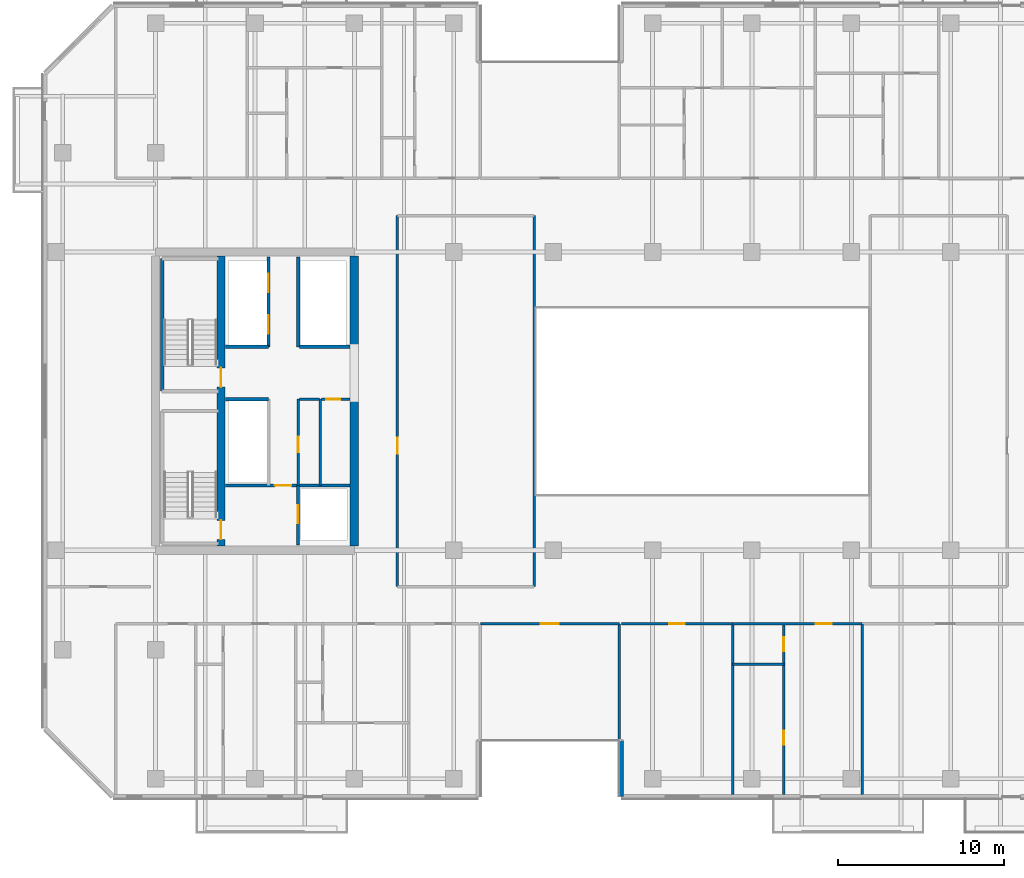
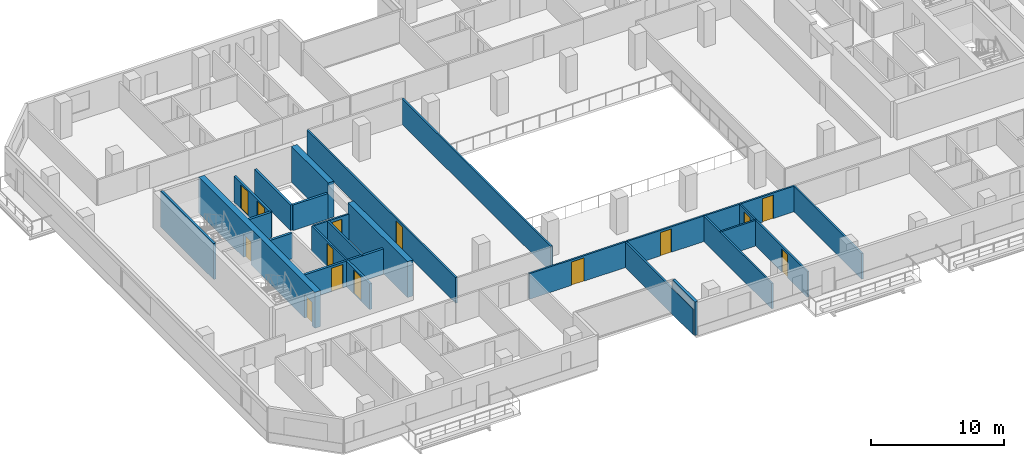
# One storey, part 11 of 23: 26 walls, 14 doors, 14 openings.
"""IFC4 building model written with IfcOpenShell, lengths in metres."""

import ifcopenshell
import ifcopenshell.guid

model = None  # the IFC model being written
_history = None  # IfcOwnerHistory: only IFC2X3 demands one
_inside = {}  # id of a spatial element -> (the spatial element, [elements in it])
_under = {}  # id of a project, library or spatial element -> (it, [spatial elements below it])
_declared = {}  # id of a project -> (the project, [libraries it declares])
_typed = {}  # id of a type object -> (the type object, [elements of that type])
_made_of = {}  # id of a material, layer set ... -> (it, [elements and type objects made of it])


def new_model(schema):
    """Start an empty IFC model of exactly this schema.

    Asked for "IFC4X3", IfcOpenShell would pick the latest addendum, in which some entities
    have other attributes; the version numbers below select the first issue.
    IFC2X3 requires an IfcOwnerHistory on every rooted entity: one is made here for all.
    """
    global model, _history
    if schema == "IFC4X3":
        model = ifcopenshell.file(schema_version=(4, 3, 0, 0))
    else:
        model = ifcopenshell.file(schema=schema)
    _inside.clear()
    _under.clear()
    _declared.clear()
    _typed.clear()
    _made_of.clear()
    _history = None
    if model.schema == "IFC2X3":
        org = make("IfcOrganization", Name="unknown")
        user = make(
            "IfcPersonAndOrganization",
            ThePerson=make("IfcPerson", FamilyName="unknown"),
            TheOrganization=org,
        )
        app = make(
            "IfcApplication",
            ApplicationDeveloper=org,
            Version="unknown",
            ApplicationFullName="unknown",
            ApplicationIdentifier="unknown",
        )
        _history = make(
            "IfcOwnerHistory",
            OwningUser=user,
            OwningApplication=app,
            ChangeAction="ADDED",
            CreationDate=0,
        )
    return model


def make(cls, **values):
    """One entity of the class cls with the attributes given. An attribute that is None is left unset."""
    return model.create_entity(
        cls, **{name: value for name, value in values.items() if value is not None}
    )


def rooted(cls, **values):
    """An entity with a GlobalId (a new one), such as an element, a storey or a relation."""
    return make(cls, GlobalId=ifcopenshell.guid.new(), OwnerHistory=_history, **values)


def si_unit(unit_type, name, prefix=None):
    """IfcSIUnit, for example si_unit("LENGTHUNIT", "METRE", prefix="MILLI")."""
    return make("IfcSIUnit", UnitType=unit_type, Prefix=prefix, Name=name)


def assignment(units):
    """IfcUnitAssignment: the units of a project."""
    return None if units is None else make("IfcUnitAssignment", Units=units)


def point(xyz):
    """IfcCartesianPoint."""
    return None if xyz is None else make("IfcCartesianPoint", Coordinates=xyz)


def direction(xyz):
    """IfcDirection."""
    return None if xyz is None else make("IfcDirection", DirectionRatios=xyz)


def frame(location, z_axis=None, x_axis=None):
    """IfcAxis2Placement3D, a coordinate frame: its origin and axes. An axis left out is left unset."""
    return make(
        "IfcAxis2Placement3D",
        Location=point(location),
        Axis=direction(z_axis),
        RefDirection=direction(x_axis),
    )


def frame_2d(location, x_axis=None):
    """IfcAxis2Placement2D, a coordinate frame in the plane: its origin and x axis."""
    return make(
        "IfcAxis2Placement2D", Location=point(location), RefDirection=direction(x_axis)
    )


def origin():
    """The frame at (0, 0, 0) with its axes left unset."""
    return frame((0.0, 0.0, 0.0))


def place(relative_to, where):
    """IfcLocalPlacement: puts the frame where relative to a parent placement (None: the world)."""
    return make(
        "IfcLocalPlacement", PlacementRelTo=relative_to, RelativePlacement=where
    )


def context(
    kind, dimensions, precision=None, world=None, true_north=None, identifier=None
):
    """IfcGeometricRepresentationContext, for example the 3D "Model" context."""
    return make(
        "IfcGeometricRepresentationContext",
        ContextIdentifier=identifier,
        ContextType=kind,
        CoordinateSpaceDimension=dimensions,
        Precision=precision,
        WorldCoordinateSystem=world,
        TrueNorth=true_north,
    )


def subcontext(parent, identifier, kind, view, scale=None):
    """IfcGeometricRepresentationSubContext, for example "Body" below "Model"."""
    return make(
        "IfcGeometricRepresentationSubContext",
        ContextIdentifier=identifier,
        ContextType=kind,
        ParentContext=parent,
        TargetScale=scale,
        TargetView=view,
    )


def project(units=None, contexts=None):
    """IfcProject with its units and contexts."""
    return rooted(
        "IfcProject",
        Name="project",
        RepresentationContexts=contexts,
        UnitsInContext=assignment(units),
    )


def spatial(cls, under=None, at=None, **own):
    """A site, building, storey or space (cls), placed at a placement, below another one or the project."""
    s = rooted(cls, ObjectPlacement=at, **own)
    if under is not None:
        _under.setdefault(under.id(), (under, []))[1].append(s)
    return s


def profile(cls, at=None, kind="AREA", **sizes):
    """A parametric profile (cls). Its sizes go by their IFC names, for example OverallWidth=200.0."""
    return make(cls, ProfileType=kind, Position=at, **sizes)


def rectangle(**sizes):
    """IfcRectangleProfileDef."""
    return profile("IfcRectangleProfileDef", **sizes)


def extrude(swept, where, along, depth):
    """IfcExtrudedAreaSolid: the profile swept, set in the frame where, extruded along a direction by depth."""
    return make(
        "IfcExtrudedAreaSolid",
        SweptArea=swept,
        Position=where,
        ExtrudedDirection=direction(along),
        Depth=depth,
    )


def shape(context_of_items, identifier, shape_type, items):
    """IfcShapeRepresentation: the items that make up one representation, for example the "Body"."""
    return make(
        "IfcShapeRepresentation",
        ContextOfItems=context_of_items,
        RepresentationIdentifier=identifier,
        RepresentationType=shape_type,
        Items=items,
    )


def material(Name=None, Category=None):
    """IfcMaterial."""
    return make("IfcMaterial", Name=Name, Category=Category)


def layer(
    of_material, thickness, ventilated=None, Name=None, Category=None, Priority=None
):
    """IfcMaterialLayer: one layer of a wall or slab, of a material (None: an air gap)."""
    return make(
        "IfcMaterialLayer",
        Material=of_material,
        LayerThickness=thickness,
        IsVentilated=ventilated,
        Name=Name,
        Category=Category,
        Priority=Priority,
    )


def layer_set(layers, Name=None):
    """IfcMaterialLayerSet."""
    return make("IfcMaterialLayerSet", MaterialLayers=layers, LayerSetName=Name)


def made_of(thing, what):
    """Note that an element or type object is made of a material, layer set ...; save() writes the relation."""
    if what is not None:
        _made_of.setdefault(what.id(), (what, []))[1].append(thing)
    return thing


def type_object(cls, material=None, **own):
    """A type object (cls), such as IfcWallType, which elements share."""
    return made_of(rooted(cls, **own), material)


def element(
    cls,
    number,
    at=None,
    inside=None,
    cuts=None,
    type_object=None,
    material=None,
    context=None,
    identifier="Body",
    shape_type=None,
    held_by="IfcProductDefinitionShape",
    body=None,
    shapes=None,
    **own,
):
    """One element of the class cls, such as IfcWall. Its Tag is "e" and its number.

    at: its placement. inside: the storey or other place that contains it. cuts: it is an
    opening in that element (IfcRelVoidsElement). A single representation is given by context,
    identifier, shape_type and body (its items); several are given by shapes. held_by: the class
    of the entity that holds the representations. save() writes the other relations.
    """
    e = rooted(cls, Tag="e%d" % number, ObjectPlacement=at, **own)
    if body is not None:
        shapes = [shape(context, identifier, shape_type, body)]
    if shapes is not None:
        e.Representation = make(held_by, Representations=shapes)
    if inside is not None:
        _inside.setdefault(inside.id(), (inside, []))[1].append(e)
    if cuts is not None:
        rooted(
            "IfcRelVoidsElement", RelatingBuildingElement=cuts, RelatedOpeningElement=e
        )
    if type_object is not None:
        _typed.setdefault(type_object.id(), (type_object, []))[1].append(e)
    return made_of(e, material)


def fill(opening, filler):
    """IfcRelFillsElement: the door or window that sits in an opening."""
    return rooted(
        "IfcRelFillsElement",
        RelatingOpeningElement=opening,
        RelatedBuildingElement=filler,
    )


def aggregate(whole, parts):
    """IfcRelAggregates: a whole, such as a stair, and the parts it consists of."""
    return rooted("IfcRelAggregates", RelatingObject=whole, RelatedObjects=parts)


def save(model, path):
    """Write the relations noted so far, then the file.

    IfcRelAggregates (storeys below a building ...), IfcRelContainedInSpatialStructure (elements
    in a storey), IfcRelDefinesByType, IfcRelAssociatesMaterial and IfcRelDeclares: one each for
    every whole, place, type object, material and project.
    """
    for whole, parts in _under.values():
        aggregate(whole, parts)
    for where, things in _inside.values():
        rooted(
            "IfcRelContainedInSpatialStructure",
            RelatedElements=things,
            RelatingStructure=where,
        )
    for kind, things in _typed.values():
        rooted("IfcRelDefinesByType", RelatedObjects=things, RelatingType=kind)
    for what, things in _made_of.values():
        rooted("IfcRelAssociatesMaterial", RelatedObjects=things, RelatingMaterial=what)
    for by, libraries in _declared.values():
        rooted("IfcRelDeclares", RelatingContext=by, RelatedDefinitions=libraries)
    model.write(path)


model = new_model("IFC4")

# Units and contexts
model_context = context("Model", 3, precision=1e-05, world=origin(), true_north=direction((0.0, 1.0)))
body_context = subcontext(model_context, "Body", "Model", "MODEL_VIEW")
ifc_project = project(units=[si_unit("LENGTHUNIT", "METRE"), si_unit("AREAUNIT", "SQUARE_METRE"), si_unit("VOLUMEUNIT", "CUBIC_METRE"), si_unit("PLANEANGLEUNIT", "RADIAN"), si_unit("MASSUNIT", "GRAM", prefix="KILO")], contexts=[model_context])

# Site, building, storey
site_placement = place(None, origin())
site = spatial("IfcSite", under=ifc_project, at=site_placement, CompositionType="ELEMENT")
building_placement = place(site_placement, origin())
building = spatial("IfcBuilding", under=site, at=building_placement, Name="Tanjung Sevakor Pilgrim Tower", CompositionType="ELEMENT")
storey_placement = place(building_placement, frame((0.0, 0.0, 82.169921875)))
storey = spatial("IfcBuildingStorey", under=building, at=storey_placement, Name="L22", CompositionType="ELEMENT", Elevation=82.169921875)

# Walls
ifc_material_1 = material(Name="Concrete C60/75", Category="concrete")
ifc_layer_1 = layer(ifc_material_1, 0.5)
ifc_layer_set_1 = layer_set([ifc_layer_1], Name="WALL-CW-500")
wall_type_1 = type_object("IfcWallType", Name="WALL-CW-500", PredefinedType="SHEAR", material=ifc_layer_set_1)
wall_1_placement = place(storey_placement, frame((36.0, 24.85009765625, 0.0), z_axis=(0.0, 0.0, 1.0), x_axis=(0.0, 1.0, 0.0)))
element("IfcWall", 1, at=wall_1_placement, inside=storey, type_object=wall_type_1, Name="L22 W Core Inner Shear Wall South", PredefinedType="SHEAR", context=body_context, shape_type="SweptSolid", body=[
    extrude(rectangle(XDim=8.949951171875, YDim=0.5, at=frame_2d((4.47509765625, 0.0))), origin(), (0.0, 0.0, 1.0), 3.300048828125),
])
wall_2_placement = place(storey_placement, frame((36.0, 36.800048828125, 0.0), z_axis=(0.0, 0.0, 1.0), x_axis=(0.0, 1.0, 0.0)))
element("IfcWall", 2, at=wall_2_placement, inside=storey, type_object=wall_type_1, Name="L22 W Core Inner Shear Wall North", PredefinedType="SHEAR", context=body_context, shape_type="SweptSolid", body=[
    extrude(rectangle(XDim=5.550048828125, YDim=0.5, at=frame_2d((2.77490234375, 0.0))), origin(), (0.0, 0.0, 1.0), 3.300048828125),
])

# Wall, openings, doors
wall_3_placement = place(storey_placement, frame((27.949951171875, 24.85009765625, 0.0), z_axis=(0.0, 0.0, 1.0), x_axis=(0.0, 1.0, 0.0)))
wall_3 = element("IfcWall", 3, at=wall_3_placement, inside=storey, type_object=wall_type_1, Name="L22 W Core Stair Spine Wall", PredefinedType="SHEAR", context=body_context, shape_type="SweptSolid", body=[
    extrude(rectangle(XDim=17.5, YDim=0.5, at=frame_2d((8.75, 0.0))), origin(), (0.0, 0.0, 1.0), 3.300048828125),
])
opening_1_placement = place(wall_3_placement, frame((0.39990234375, 0.0, 0.0)))
opening_1 = element("IfcOpeningElement", 4, at=opening_1_placement, cuts=wall_3, Name="Opening ID-ST1", PredefinedType="OPENING", context=body_context, shape_type="SweptSolid", body=[
    extrude(rectangle(XDim=1.14990234375, YDim=2.14990234375, at=frame_2d((0.574951171875, 1.074951171875))), frame((0.0, 0.260009765625, 0.0), z_axis=(0.0, -1.0, 0.0), x_axis=(1.0, 0.0, 0.0)), (0.0, 0.0, 1.0), 0.52001953125),
])
opening_2_placement = place(wall_3_placement, frame((9.60009765625, 0.0, 0.0)))
opening_2 = element("IfcOpeningElement", 5, at=opening_2_placement, cuts=wall_3, Name="Opening ID-ST1", PredefinedType="OPENING", context=body_context, shape_type="SweptSolid", body=[
    extrude(rectangle(XDim=1.14990234375, YDim=2.14990234375, at=frame_2d((0.574951171875, 1.074951171875))), frame((0.0, 0.260009765625, 0.0), z_axis=(0.0, -1.0, 0.0), x_axis=(1.0, 0.0, 0.0)), (0.0, 0.0, 1.0), 0.52001953125),
])
ifc_material_2 = material(Name="Fire-Rated Steel S355J2", Category="steel")
door_type_1 = type_object("IfcDoorType", Name="DT-FIRE-1150", OperationType="NOTDEFINED", PredefinedType="DOOR", material=ifc_material_2)
door_1_placement = place(opening_1_placement, origin())
door_1 = element("IfcDoor", 6, at=door_1_placement, inside=storey, type_object=door_type_1, Name="L22 TS-W1 Stair Fire Door", OperationType="SINGLE_SWING_LEFT", OverallHeight=2.14990234375, OverallWidth=1.14990234375, PredefinedType="DOOR", context=body_context, shape_type="SweptSolid", body=[
    extrude(rectangle(XDim=1.14990234375, YDim=2.14990234375, at=frame_2d((0.574951171875, 1.074951171875))), frame((0.0, 0.02490234375, 0.0), z_axis=(0.0, -1.0, 0.0), x_axis=(1.0, 0.0, 0.0)), (0.0, 0.0, 1.0), 0.050048828125),
])
fill(opening_1, door_1)
door_2_placement = place(opening_2_placement, origin())
door_2 = element("IfcDoor", 7, at=door_2_placement, inside=storey, type_object=door_type_1, Name="L22 TS-W2 Stair Fire Door", OperationType="SINGLE_SWING_RIGHT", OverallHeight=2.14990234375, OverallWidth=1.14990234375, PredefinedType="DOOR", context=body_context, shape_type="SweptSolid", body=[
    extrude(rectangle(XDim=1.14990234375, YDim=2.14990234375, at=frame_2d((0.574951171875, 1.074951171875))), frame((0.0, 0.02490234375, 0.0), z_axis=(0.0, -1.0, 0.0), x_axis=(1.0, 0.0, 0.0)), (0.0, 0.0, 1.0), 0.050048828125),
])
fill(opening_2, door_2)

# Walls
ifc_material_3 = material(Name="Concrete C40/50", Category="concrete")
ifc_layer_2 = layer(ifc_material_3, 0.14990234375)
ifc_layer_set_2 = layer_set([ifc_layer_2], Name="WT-COMP-150")
wall_type_2 = type_object("IfcWallType", Name="WT-COMP-150", PredefinedType="SOLIDWALL", material=ifc_layer_set_2)
wall_4_placement = place(storey_placement, frame((33.949951171875, 28.5, 0.0), z_axis=(0.0, 0.0, 1.0), x_axis=(0.0, 1.0, 0.0)))
element("IfcWall", 8, at=wall_4_placement, inside=storey, type_object=wall_type_2, Name="L22 Partition IW-L22-005", PredefinedType="SOLIDWALL", context=body_context, shape_type="SweptSolid", body=[
    extrude(rectangle(XDim=5.219970703125, YDim=0.14990234375, at=frame_2d((2.60986328125, 0.0))), origin(), (0.0, 0.0, 1.0), 2.35009765625),
])
wall_5_placement = place(storey_placement, frame((32.679931640625, 33.719970703125, 0.0), z_axis=(0.0, 0.0, 1.0), x_axis=(1.0, 0.0, 0.0)))
element("IfcWall", 9, at=wall_5_placement, inside=storey, type_object=wall_type_2, Name="L22 Partition IW-L22-006", PredefinedType="SOLIDWALL", context=body_context, shape_type="SweptSolid", body=[
    extrude(rectangle(XDim=1.2099609375, YDim=0.14990234375, at=frame_2d((0.60498046875, 0.0))), origin(), (0.0, 0.0, 1.0), 2.35009765625),
])

# Wall, opening, door
wall_6_placement = place(storey_placement, frame((34.010009765625, 33.719970703125, 0.0), z_axis=(0.0, 0.0, 1.0), x_axis=(1.0, 0.0, 0.0)))
wall_6 = element("IfcWall", 10, at=wall_6_placement, inside=storey, type_object=wall_type_2, Name="L22 Partition IW-L22-007", PredefinedType="SOLIDWALL", context=body_context, shape_type="SweptSolid", body=[
    extrude(rectangle(XDim=1.719970703125, YDim=0.14990234375, at=frame_2d((0.85986328125, 0.0))), origin(), (0.0, 0.0, 1.0), 2.35009765625),
])
opening_3_placement = place(wall_6_placement, frame((0.280029296875, 0.0, 0.0)))
opening_3 = element("IfcOpeningElement", 11, at=opening_3_placement, cuts=wall_6, Name="Opening ID-FD3", PredefinedType="OPENING", context=body_context, shape_type="SweptSolid", body=[
    extrude(rectangle(XDim=0.85009765625, YDim=2.10009765625, at=frame_2d((0.425048828125, 1.050048828125))), frame((0.0, 0.0849609375, 0.0), z_axis=(0.0, -1.0, 0.0), x_axis=(1.0, 0.0, 0.0)), (0.0, 0.0, 1.0), 0.169921875),
])
ifc_material_4 = material(Name="Fire-Rated Timber", Category="wood")
door_type_2 = type_object("IfcDoorType", Name="DT-FIRE-850", OperationType="NOTDEFINED", PredefinedType="DOOR", material=ifc_material_4)
door_3_placement = place(opening_3_placement, origin())
door_3 = element("IfcDoor", 12, at=door_3_placement, inside=storey, type_object=door_type_2, Name="L22 Service Store Door", OperationType="SINGLE_SWING_LEFT", OverallHeight=2.10009765625, OverallWidth=0.85009765625, PredefinedType="DOOR", context=body_context, shape_type="SweptSolid", body=[
    extrude(rectangle(XDim=0.85009765625, YDim=2.10009765625, at=frame_2d((0.425048828125, 1.050048828125))), frame((0.0, 0.02490234375, 0.0), z_axis=(0.0, -1.0, 0.0), x_axis=(1.0, 0.0, 0.0)), (0.0, 0.0, 1.0), 0.050048828125),
])
fill(opening_3, door_3)

wall_7_placement = place(storey_placement, frame((32.6201171875, 28.5, 0.0), z_axis=(0.0, 0.0, 1.0), x_axis=(0.0, 1.0, 0.0)))
wall_7 = element("IfcWall", 13, at=wall_7_placement, inside=storey, type_object=wall_type_2, Name="L22 Partition IW-L22-008", PredefinedType="SOLIDWALL", context=body_context, shape_type="SweptSolid", body=[
    extrude(rectangle(XDim=5.219970703125, YDim=0.14990234375, at=frame_2d((2.60986328125, 0.0))), origin(), (0.0, 0.0, 1.0), 2.35009765625),
])
opening_4_placement = place(wall_7_placement, frame((2.0, 0.0, 0.0)))
opening_4 = element("IfcOpeningElement", 14, at=opening_4_placement, cuts=wall_7, Name="Opening ID-FD2", PredefinedType="OPENING", context=body_context, shape_type="SweptSolid", body=[
    extrude(rectangle(XDim=0.949951171875, YDim=2.14990234375, at=frame_2d((0.47509765625, 1.074951171875))), frame((0.0, 0.0849609375, 0.0), z_axis=(0.0, -1.0, 0.0), x_axis=(1.0, 0.0, 0.0)), (0.0, 0.0, 1.0), 0.169921875),
])
ifc_material_5 = material(Name="Fire-Rated Timber", Category="wood")
door_type_3 = type_object("IfcDoorType", Name="DT-FIRE-950", OperationType="NOTDEFINED", PredefinedType="DOOR", material=ifc_material_5)
door_4_placement = place(opening_4_placement, origin())
door_4 = element("IfcDoor", 15, at=door_4_placement, inside=storey, type_object=door_type_3, Name="L22 Accessible WC Door", OperationType="SINGLE_SWING_RIGHT", OverallHeight=2.14990234375, OverallWidth=0.949951171875, PredefinedType="DOOR", context=body_context, shape_type="SweptSolid", body=[
    extrude(rectangle(XDim=0.949951171875, YDim=2.14990234375, at=frame_2d((0.47509765625, 1.074951171875))), frame((0.0, 0.02490234375, 0.0), z_axis=(0.0, -1.0, 0.0), x_axis=(1.0, 0.0, 0.0)), (0.0, 0.0, 1.0), 0.050048828125),
])
fill(opening_4, door_4)

wall_8_placement = place(storey_placement, frame((38.60009765625, 22.39990234375, 0.0), z_axis=(0.0, 0.0, 1.0), x_axis=(0.0, 1.0, 0.0)))
wall_8 = element("IfcWall", 16, at=wall_8_placement, inside=storey, type_object=wall_type_2, Name="L22 Partition IW-L22-027", PredefinedType="SOLIDWALL", context=body_context, shape_type="SweptSolid", body=[
    extrude(rectangle(XDim=22.400146484375, YDim=0.14990234375, at=frame_2d((11.2001953125, 0.0))), origin(), (0.0, 0.0, 1.0), 2.35009765625),
])
opening_5_placement = place(wall_8_placement, frame((8.02490234375, 0.0, 0.0)))
opening_5 = element("IfcOpeningElement", 17, at=opening_5_placement, cuts=wall_8, Name="Opening ID-RM1", PredefinedType="OPENING", context=body_context, shape_type="SweptSolid", body=[
    extrude(rectangle(XDim=0.949951171875, YDim=2.14990234375, at=frame_2d((0.47509765625, 1.074951171875))), frame((0.0, 0.0849609375, 0.0), z_axis=(0.0, -1.0, 0.0), x_axis=(1.0, 0.0, 0.0)), (0.0, 0.0, 1.0), 0.169921875),
])
ifc_material_6 = material(Name="Hardwood Timber", Category="wood")
door_type_4 = type_object("IfcDoorType", Name="DT-INT-950", OperationType="NOTDEFINED", PredefinedType="DOOR", material=ifc_material_6)
door_5_placement = place(opening_5_placement, origin())
door_5 = element("IfcDoor", 18, at=door_5_placement, inside=storey, type_object=door_type_4, Name="L22 Central West Room Door", OperationType="SINGLE_SWING_LEFT", OverallHeight=2.14990234375, OverallWidth=0.949951171875, PredefinedType="DOOR", context=body_context, shape_type="SweptSolid", body=[
    extrude(rectangle(XDim=0.949951171875, YDim=2.14990234375, at=frame_2d((0.47509765625, 1.074951171875))), frame((0.0, 0.02490234375, 0.0), z_axis=(0.0, -1.0, 0.0), x_axis=(1.0, 0.0, 0.0)), (0.0, 0.0, 1.0), 0.050048828125),
])
fill(opening_5, door_5)

# Wall
wall_9_placement = place(storey_placement, frame((46.85009765625, 22.39990234375, 0.0), z_axis=(0.0, 0.0, 1.0), x_axis=(0.0, 1.0, 0.0)))
element("IfcWall", 19, at=wall_9_placement, inside=storey, type_object=wall_type_2, Name="L22 Partition IW-L22-028", PredefinedType="SOLIDWALL", context=body_context, shape_type="SweptSolid", body=[
    extrude(rectangle(XDim=22.400146484375, YDim=0.14990234375, at=frame_2d((11.2001953125, 0.0))), origin(), (0.0, 0.0, 1.0), 2.35009765625),
])

# Wall, opening, door
wall_10_placement = place(storey_placement, frame((43.60009765625, 20.14990234375, 0.0), z_axis=(0.0, 0.0, 1.0), x_axis=(1.0, 0.0, 0.0)))
wall_10 = element("IfcWall", 20, at=wall_10_placement, inside=storey, type_object=wall_type_2, Name="L22 Partition IW-L22-041", PredefinedType="SOLIDWALL", context=body_context, shape_type="SweptSolid", body=[
    extrude(rectangle(XDim=8.39990234375, YDim=0.14990234375, at=frame_2d((4.199951171875, 0.0))), origin(), (0.0, 0.0, 1.0), 2.35009765625),
])
opening_6_placement = place(wall_10_placement, frame((3.64990234375, 0.0, 0.0)))
opening_6 = element("IfcOpeningElement", 21, at=opening_6_placement, cuts=wall_10, Name="Opening ID-RM2", PredefinedType="OPENING", context=body_context, shape_type="SweptSolid", body=[
    extrude(rectangle(XDim=1.10009765625, YDim=2.14990234375, at=frame_2d((0.550048828125, 1.074951171875))), frame((0.0, 0.0849609375, 0.0), z_axis=(0.0, -1.0, 0.0), x_axis=(1.0, 0.0, 0.0)), (0.0, 0.0, 1.0), 0.169921875),
])
ifc_material_7 = material(Name="Hardwood Timber", Category="wood")
door_type_5 = type_object("IfcDoorType", Name="DT-INT-1100", OperationType="NOTDEFINED", PredefinedType="DOOR", material=ifc_material_7)
door_6_placement = place(opening_6_placement, origin())
door_6 = element("IfcDoor", 22, at=door_6_placement, inside=storey, type_object=door_type_5, Name="L22 South Cleft Communal Lounge Door", OperationType="SINGLE_SWING_LEFT", OverallHeight=2.14990234375, OverallWidth=1.10009765625, PredefinedType="DOOR", context=body_context, shape_type="SweptSolid", body=[
    extrude(rectangle(XDim=1.10009765625, YDim=2.14990234375, at=frame_2d((0.550048828125, 1.074951171875))), frame((0.0, 0.02490234375, 0.0), z_axis=(0.0, -1.0, 0.0), x_axis=(1.0, 0.0, 0.0)), (0.0, 0.0, 1.0), 0.050048828125),
])
fill(opening_6, door_6)

# Walls
for number, where, z_axis, x_axis, name in (
    (23, (52.0, 9.85009765625, 0.0), (0.0, 0.0, 1.0), (0.0, 1.0, 0.0), "L22 Partition IW-L22-043"),
    (24, (58.827880859375, 9.85009765625, 0.0), (0.0, 0.0, 1.0), (0.0, 1.0, 0.0), "L22 Partition IW-L22-061"),
):
    element("IfcWall", number, at=place(storey_placement, frame(where, z_axis=z_axis, x_axis=x_axis)), inside=storey, type_object=wall_type_2, Name=name, PredefinedType="SOLIDWALL", context=body_context, shape_type="SweptSolid", body=[
        extrude(rectangle(XDim=10.2998046875, YDim=0.14990234375, at=frame_2d((5.14990234375, 0.0))), origin(), (0.0, 0.0, 1.0), 2.35009765625),
    ])

# Wall, opening, door
wall_11_placement = place(storey_placement, frame((52.1201171875, 20.14990234375, 0.0), z_axis=(0.0, 0.0, 1.0), x_axis=(1.0, 0.0, 0.0)))
wall_11 = element("IfcWall", 25, at=wall_11_placement, inside=storey, type_object=wall_type_2, Name="L22 Partition IW-L22-062", PredefinedType="SOLIDWALL", context=body_context, shape_type="SweptSolid", body=[
    extrude(rectangle(XDim=6.707763671875, YDim=0.14990234375, at=frame_2d((3.35400390625, 0.0))), origin(), (0.0, 0.0, 1.0), 2.35009765625),
])
opening_7_placement = place(wall_11_placement, frame((2.87890625, 0.0, 0.0)))
opening_7 = element("IfcOpeningElement", 26, at=opening_7_placement, cuts=wall_11, Name="Opening ID-FD2", PredefinedType="OPENING", context=body_context, shape_type="SweptSolid", body=[
    extrude(rectangle(XDim=0.949951171875, YDim=2.14990234375, at=frame_2d((0.47509765625, 1.074951171875))), frame((0.0, 0.0849609375, 0.0), z_axis=(0.0, -1.0, 0.0), x_axis=(1.0, 0.0, 0.0)), (0.0, 0.0, 1.0), 0.169921875),
])
door_7_placement = place(opening_7_placement, origin())
door_7 = element("IfcDoor", 27, at=door_7_placement, inside=storey, type_object=door_type_3, Name="Housekeeping Pantry Door", OperationType="SINGLE_SWING_RIGHT", OverallHeight=2.14990234375, OverallWidth=0.949951171875, PredefinedType="DOOR", context=body_context, shape_type="SweptSolid", body=[
    extrude(rectangle(XDim=0.949951171875, YDim=2.14990234375, at=frame_2d((0.47509765625, 1.074951171875))), frame((0.0, 0.02490234375, 0.0), z_axis=(0.0, -1.0, 0.0), x_axis=(1.0, 0.0, 0.0)), (0.0, 0.0, 1.0), 0.050048828125),
])
fill(opening_7, door_7)

# Wall
wall_12_placement = place(storey_placement, frame((66.653564453125, 9.85009765625, 0.0), z_axis=(0.0, 0.0, 1.0), x_axis=(0.0, 1.0, 0.0)))
element("IfcWall", 28, at=wall_12_placement, inside=storey, type_object=wall_type_2, Name="L22 Partition IW-L22-063", PredefinedType="SOLIDWALL", context=body_context, shape_type="SweptSolid", body=[
    extrude(rectangle(XDim=10.2998046875, YDim=0.14990234375, at=frame_2d((5.14990234375, 0.0))), origin(), (0.0, 0.0, 1.0), 2.35009765625),
])

# Wall, opening, door
wall_13_placement = place(storey_placement, frame((58.827880859375, 20.14990234375, 0.0), z_axis=(0.0, 0.0, 1.0), x_axis=(1.0, 0.0, 0.0)))
wall_13 = element("IfcWall", 29, at=wall_13_placement, inside=storey, type_object=wall_type_2, Name="L22 Partition IW-L22-066", PredefinedType="SOLIDWALL", context=body_context, shape_type="SweptSolid", body=[
    extrude(rectangle(XDim=7.82568359375, YDim=0.14990234375, at=frame_2d((3.912841796875, 0.0))), origin(), (0.0, 0.0, 1.0), 2.35009765625),
])
opening_8_placement = place(wall_13_placement, frame((5.02392578125, 0.0, 0.0)))
opening_8 = element("IfcOpeningElement", 30, at=opening_8_placement, cuts=wall_13, Name="Opening ID-FD2", PredefinedType="OPENING", context=body_context, shape_type="SweptSolid", body=[
    extrude(rectangle(XDim=0.949951171875, YDim=2.14990234375, at=frame_2d((0.47509765625, 1.074951171875))), frame((0.0, 0.0849609375, 0.0), z_axis=(0.0, -1.0, 0.0), x_axis=(1.0, 0.0, 0.0)), (0.0, 0.0, 1.0), 0.169921875),
])
door_8_placement = place(opening_8_placement, origin())
door_8 = element("IfcDoor", 31, at=door_8_placement, inside=storey, type_object=door_type_3, Name="Hostel Quad Entrance", OperationType="SINGLE_SWING_LEFT", OverallHeight=2.14990234375, OverallWidth=0.949951171875, PredefinedType="DOOR", context=body_context, shape_type="SweptSolid", body=[
    extrude(rectangle(XDim=0.949951171875, YDim=2.14990234375, at=frame_2d((0.47509765625, 1.074951171875))), frame((0.0, 0.02490234375, 0.0), z_axis=(0.0, -1.0, 0.0), x_axis=(1.0, 0.0, 0.0)), (0.0, 0.0, 1.0), 0.050048828125),
])
fill(opening_8, door_8)

# Walls
ifc_material_8 = material(Name="Precast concrete C45/55", Category="concrete")
ifc_layer_3 = layer(ifc_material_8, 0.25)
ifc_layer_set_3 = layer_set([ifc_layer_3], Name="WT-EW-STN3")
wall_type_3 = type_object("IfcWallType", Name="WT-EW-STN3", PredefinedType="SOLIDWALL", material=ifc_layer_set_3)
wall_14_placement = place(storey_placement, frame((52.125, 13.125, 0.0), z_axis=(0.0, 0.0, 1.0), x_axis=(0.0, -1.0, 0.0)))
element("IfcWall", 32, at=wall_14_placement, inside=storey, type_object=wall_type_3, Name="L22 MAIN Exterior Wall 4", PredefinedType="SOLIDWALL", context=body_context, shape_type="SweptSolid", body=[
    extrude(rectangle(XDim=3.39990234375, YDim=0.25, at=frame_2d((1.699951171875, 0.0))), origin(), (0.0, 0.0, 1.0), 3.080078125),
])
ifc_material_9 = material(Name="Concrete C40/50", Category="concrete")
ifc_layer_4 = layer(ifc_material_9, 0.199951171875)
ifc_layer_set_4 = layer_set([ifc_layer_4], Name="WT-FIRE-200")
wall_type_4 = type_object("IfcWallType", Name="WT-FIRE-200", PredefinedType="SOLIDWALL", material=ifc_layer_set_4)
wall_15_placement = place(storey_placement, frame((24.39990234375, 42.199951171875, 0.0), z_axis=(0.0, 0.0, 1.0), x_axis=(0.0, -1.0, 0.0)))
element("IfcWall", 33, at=wall_15_placement, inside=storey, type_object=wall_type_4, Name="L22 TS-W2 Shaft Wall 3", PredefinedType="SOLIDWALL", context=body_context, shape_type="SweptSolid", body=[
    extrude(rectangle(XDim=8.0, YDim=0.199951171875, at=frame_2d((4.0, 0.0))), origin(), (0.0, 0.0, 1.0), 3.300048828125),
])

# Wall, opening, door
ifc_material_10 = material(Name="Concrete C40/50", Category="concrete")
ifc_layer_5 = layer(ifc_material_10, 0.199951171875)
ifc_layer_set_5 = layer_set([ifc_layer_5], Name="WT-FPRT-200")
wall_type_5 = type_object("IfcWallType", Name="WT-FPRT-200", PredefinedType="SOLIDWALL", material=ifc_layer_set_5)
wall_16_placement = place(storey_placement, frame((32.60009765625, 24.919921875, 0.0), z_axis=(0.0, 0.0, 1.0), x_axis=(0.0, 1.0, 0.0)))
wall_16 = element("IfcWall", 34, at=wall_16_placement, inside=storey, type_object=wall_type_5, Name="L22 Partition IW-L22-001", PredefinedType="SOLIDWALL", context=body_context, shape_type="SweptSolid", body=[
    extrude(rectangle(XDim=3.580078125, YDim=0.199951171875, at=frame_2d((1.7900390625, 0.0))), origin(), (0.0, 0.0, 1.0), 2.35009765625),
])
opening_9_placement = place(wall_16_placement, frame((1.300048828125, 0.0, 0.0)))
opening_9 = element("IfcOpeningElement", 35, at=opening_9_placement, cuts=wall_16, Name="Opening LD-1100", PredefinedType="OPENING", context=body_context, shape_type="SweptSolid", body=[
    extrude(rectangle(XDim=1.10009765625, YDim=2.199951171875, at=frame_2d((0.550048828125, 1.10009765625))), frame((0.0, 0.10986328125, 0.0), z_axis=(0.0, -1.0, 0.0), x_axis=(1.0, 0.0, 0.0)), (0.0, 0.0, 1.0), 0.219970703125),
])
ifc_material_11 = material(Name="Brushed Stainless Steel S355J2", Category="steel")
door_type_6 = type_object("IfcDoorType", Name="DT-LIFT-1100", OperationType="SLIDING_TO_LEFT", PredefinedType="DOOR", material=ifc_material_11)
door_9_placement = place(opening_9_placement, origin())
door_9 = element("IfcDoor", 36, at=door_9_placement, inside=storey, type_object=door_type_6, Name="LD-FL-W", OperationType="SLIDING_TO_LEFT", OverallHeight=2.199951171875, OverallWidth=1.10009765625, PredefinedType="DOOR", context=body_context, shape_type="SweptSolid", body=[
    extrude(rectangle(XDim=1.10009765625, YDim=2.199951171875, at=frame_2d((0.550048828125, 1.10009765625))), frame((0.0, 0.02490234375, 0.0), z_axis=(0.0, -1.0, 0.0), x_axis=(1.0, 0.0, 0.0)), (0.0, 0.0, 1.0), 0.050048828125),
])
fill(opening_9, door_9)

wall_17_placement = place(storey_placement, frame((28.219970703125, 28.5, 0.0), z_axis=(0.0, 0.0, 1.0), x_axis=(1.0, 0.0, 0.0)))
wall_17 = element("IfcWall", 37, at=wall_17_placement, inside=storey, type_object=wall_type_5, Name="L22 Partition IW-L22-002", PredefinedType="SOLIDWALL", context=body_context, shape_type="SweptSolid", body=[
    extrude(rectangle(XDim=7.510009765625, YDim=0.199951171875, at=frame_2d((3.7548828125, 0.0))), origin(), (0.0, 0.0, 1.0), 2.35009765625),
])
opening_10_placement = place(wall_17_placement, frame((2.97998046875, 0.0, 0.0)))
opening_10 = element("IfcOpeningElement", 38, at=opening_10_placement, cuts=wall_17, Name="Opening ID-FD1", PredefinedType="OPENING", context=body_context, shape_type="SweptSolid", body=[
    extrude(rectangle(XDim=1.0, YDim=2.14990234375, at=frame_2d((0.5, 1.074951171875))), frame((0.0, 0.10986328125, 0.0), z_axis=(0.0, -1.0, 0.0), x_axis=(1.0, 0.0, 0.0)), (0.0, 0.0, 1.0), 0.219970703125),
])
ifc_material_12 = material(Name="Fire-Rated Steel S355J2", Category="steel")
door_type_7 = type_object("IfcDoorType", Name="DT-FIRE-1000", OperationType="NOTDEFINED", PredefinedType="DOOR", material=ifc_material_12)
door_10_placement = place(opening_10_placement, origin())
door_10 = element("IfcDoor", 39, at=door_10_placement, inside=storey, type_object=door_type_7, Name="Fire Lobby Door W", OperationType="SINGLE_SWING_RIGHT", OverallHeight=2.14990234375, OverallWidth=1.0, PredefinedType="DOOR", context=body_context, shape_type="SweptSolid", body=[
    extrude(rectangle(XDim=1.0, YDim=2.14990234375, at=frame_2d((0.5, 1.074951171875))), frame((0.0, 0.02490234375, 0.0), z_axis=(0.0, -1.0, 0.0), x_axis=(1.0, 0.0, 0.0)), (0.0, 0.0, 1.0), 0.050048828125),
])
fill(opening_10, door_10)

# Walls
for number, where, z_axis, x_axis, name in (
    (40, (28.219970703125, 33.719970703125, 0.0), (0.0, 0.0, 1.0), (1.0, 0.0, 0.0), "L22 Partition IW-L22-003"),
    (41, (28.219970703125, 36.8798828125, 0.0), (0.0, 0.0, 1.0), (1.0, 0.0, 0.0), "L22 Partition IW-L22-009"),
):
    element("IfcWall", number, at=place(storey_placement, frame(where, z_axis=z_axis, x_axis=x_axis)), inside=storey, type_object=wall_type_5, Name=name, PredefinedType="SOLIDWALL", context=body_context, shape_type="SweptSolid", body=[
        extrude(rectangle(XDim=2.580078125, YDim=0.199951171875, at=frame_2d((1.2900390625, 0.0))), origin(), (0.0, 0.0, 1.0), 2.35009765625),
    ])

# Wall, openings, doors
wall_18_placement = place(storey_placement, frame((30.820068359375, 36.8798828125, 0.0), z_axis=(0.0, 0.0, 1.0), x_axis=(0.0, 1.0, 0.0)))
wall_18 = element("IfcWall", 42, at=wall_18_placement, inside=storey, type_object=wall_type_5, Name="L22 Partition IW-L22-010", PredefinedType="SOLIDWALL", context=body_context, shape_type="SweptSolid", body=[
    extrude(rectangle(XDim=5.420166015625, YDim=0.199951171875, at=frame_2d((2.7099609375, 0.0))), origin(), (0.0, 0.0, 1.0), 2.35009765625),
])
opening_11_placement = place(wall_18_placement, frame((0.800048828125, 0.0, 0.0)))
opening_11 = element("IfcOpeningElement", 43, at=opening_11_placement, cuts=wall_18, Name="Opening LD-1100", PredefinedType="OPENING", context=body_context, shape_type="SweptSolid", body=[
    extrude(rectangle(XDim=1.10009765625, YDim=2.199951171875, at=frame_2d((0.550048828125, 1.10009765625))), frame((0.0, 0.10986328125, 0.0), z_axis=(0.0, -1.0, 0.0), x_axis=(1.0, 0.0, 0.0)), (0.0, 0.0, 1.0), 0.219970703125),
])
opening_12_placement = place(wall_18_placement, frame((3.300048828125, 0.0, 0.0)))
opening_12 = element("IfcOpeningElement", 44, at=opening_12_placement, cuts=wall_18, Name="Opening LD-1100", PredefinedType="OPENING", context=body_context, shape_type="SweptSolid", body=[
    extrude(rectangle(XDim=1.10009765625, YDim=2.199951171875, at=frame_2d((0.550048828125, 1.10009765625))), frame((0.0, 0.10986328125, 0.0), z_axis=(0.0, -1.0, 0.0), x_axis=(1.0, 0.0, 0.0)), (0.0, 0.0, 1.0), 0.219970703125),
])
door_11_placement = place(opening_11_placement, origin())
door_11 = element("IfcDoor", 45, at=door_11_placement, inside=storey, type_object=door_type_6, Name="LD-PLM1-W", OperationType="SLIDING_TO_LEFT", OverallHeight=2.199951171875, OverallWidth=1.10009765625, PredefinedType="DOOR", context=body_context, shape_type="SweptSolid", body=[
    extrude(rectangle(XDim=1.10009765625, YDim=2.199951171875, at=frame_2d((0.550048828125, 1.10009765625))), frame((0.0, 0.02490234375, 0.0), z_axis=(0.0, -1.0, 0.0), x_axis=(1.0, 0.0, 0.0)), (0.0, 0.0, 1.0), 0.050048828125),
])
fill(opening_11, door_11)
door_12_placement = place(opening_12_placement, origin())
door_12 = element("IfcDoor", 46, at=door_12_placement, inside=storey, type_object=door_type_6, Name="LD-PLM2-W", OperationType="SLIDING_TO_RIGHT", OverallHeight=2.199951171875, OverallWidth=1.10009765625, PredefinedType="DOOR", context=body_context, shape_type="SweptSolid", body=[
    extrude(rectangle(XDim=1.10009765625, YDim=2.199951171875, at=frame_2d((0.550048828125, 1.10009765625))), frame((0.0, 0.02490234375, 0.0), z_axis=(0.0, -1.0, 0.0), x_axis=(1.0, 0.0, 0.0)), (0.0, 0.0, 1.0), 0.050048828125),
])
fill(opening_12, door_12)

# Walls
wall_19_placement = place(storey_placement, frame((32.679931640625, 36.8798828125, 0.0), z_axis=(0.0, 0.0, 1.0), x_axis=(1.0, 0.0, 0.0)))
element("IfcWall", 47, at=wall_19_placement, inside=storey, type_object=wall_type_5, Name="L22 Partition IW-L22-011", PredefinedType="SOLIDWALL", context=body_context, shape_type="SweptSolid", body=[
    extrude(rectangle(XDim=3.050048828125, YDim=0.199951171875, at=frame_2d((1.52490234375, 0.0))), origin(), (0.0, 0.0, 1.0), 2.35009765625),
])
wall_20_placement = place(storey_placement, frame((32.6201171875, 36.8798828125, 0.0), z_axis=(0.0, 0.0, 1.0), x_axis=(0.0, 1.0, 0.0)))
element("IfcWall", 48, at=wall_20_placement, inside=storey, type_object=wall_type_5, Name="L22 Partition IW-L22-012", PredefinedType="SOLIDWALL", context=body_context, shape_type="SweptSolid", body=[
    extrude(rectangle(XDim=5.420166015625, YDim=0.199951171875, at=frame_2d((2.7099609375, 0.0))), origin(), (0.0, 0.0, 1.0), 2.35009765625),
])
ifc_material_13 = material(Name="Gypsum Board Partition", Category="gypsum board")
ifc_layer_6 = layer(ifc_material_13, 0.14990234375)
ifc_layer_set_6 = layer_set([ifc_layer_6], Name="WT-PART-150")
wall_type_6 = type_object("IfcWallType", Name="WT-PART-150", PredefinedType="PARTITIONING", material=ifc_layer_set_6)
wall_21_placement = place(storey_placement, frame((58.827880859375, 17.699951171875, 0.0), z_axis=(0.0, 0.0, 1.0), x_axis=(1.0, 0.0, 0.0)))
element("IfcWall", 49, at=wall_21_placement, inside=storey, type_object=wall_type_6, Name="L22 Partition IW-L22-064", PredefinedType="PARTITIONING", context=body_context, shape_type="SweptSolid", body=[
    extrude(rectangle(XDim=3.092041015625, YDim=0.14990234375, at=frame_2d((1.5458984375, 0.0))), origin(), (0.0, 0.0, 1.0), 2.35009765625),
])

# Wall, openings, doors
wall_22_placement = place(storey_placement, frame((61.919921875, 9.85009765625, 0.0), z_axis=(0.0, 0.0, 1.0), x_axis=(0.0, 1.0, 0.0)))
wall_22 = element("IfcWall", 50, at=wall_22_placement, inside=storey, type_object=wall_type_6, Name="L22 Partition IW-L22-065", PredefinedType="PARTITIONING", context=body_context, shape_type="SweptSolid", body=[
    extrude(rectangle(XDim=10.2998046875, YDim=0.14990234375, at=frame_2d((5.14990234375, 0.0))), origin(), (0.0, 0.0, 1.0), 2.35009765625),
])
opening_13_placement = place(wall_22_placement, frame((3.0, 0.0, 0.0)))
opening_13 = element("IfcOpeningElement", 51, at=opening_13_placement, cuts=wall_22, Name="Opening ID-WC1", PredefinedType="OPENING", context=body_context, shape_type="SweptSolid", body=[
    extrude(rectangle(XDim=0.85009765625, YDim=2.10009765625, at=frame_2d((0.425048828125, 1.050048828125))), frame((0.0, 0.0849609375, 0.0), z_axis=(0.0, -1.0, 0.0), x_axis=(1.0, 0.0, 0.0)), (0.0, 0.0, 1.0), 0.169921875),
])
opening_14_placement = place(wall_22_placement, frame((8.64990234375, 0.0, 0.0)))
opening_14 = element("IfcOpeningElement", 52, at=opening_14_placement, cuts=wall_22, Name="Opening ID-WC1", PredefinedType="OPENING", context=body_context, shape_type="SweptSolid", body=[
    extrude(rectangle(XDim=0.85009765625, YDim=2.10009765625, at=frame_2d((0.425048828125, 1.050048828125))), frame((0.0, 0.0849609375, 0.0), z_axis=(0.0, -1.0, 0.0), x_axis=(1.0, 0.0, 0.0)), (0.0, 0.0, 1.0), 0.169921875),
])
ifc_material_14 = material(Name="Moisture-Resistant Timber", Category="wood")
door_type_8 = type_object("IfcDoorType", Name="DT-INT-850", OperationType="NOTDEFINED", PredefinedType="DOOR", material=ifc_material_14)
door_13_placement = place(opening_13_placement, origin())
door_13 = element("IfcDoor", 53, at=door_13_placement, inside=storey, type_object=door_type_8, Name="Study Nook Door", OperationType="SINGLE_SWING_LEFT", OverallHeight=2.10009765625, OverallWidth=0.85009765625, PredefinedType="DOOR", context=body_context, shape_type="SweptSolid", body=[
    extrude(rectangle(XDim=0.85009765625, YDim=2.10009765625, at=frame_2d((0.425048828125, 1.050048828125))), frame((0.0, 0.02490234375, 0.0), z_axis=(0.0, -1.0, 0.0), x_axis=(1.0, 0.0, 0.0)), (0.0, 0.0, 1.0), 0.050048828125),
])
fill(opening_13, door_13)
door_14_placement = place(opening_14_placement, origin())
door_14 = element("IfcDoor", 54, at=door_14_placement, inside=storey, type_object=door_type_8, Name="Bathroom Door", OperationType="SINGLE_SWING_RIGHT", OverallHeight=2.10009765625, OverallWidth=0.85009765625, PredefinedType="DOOR", context=body_context, shape_type="SweptSolid", body=[
    extrude(rectangle(XDim=0.85009765625, YDim=2.10009765625, at=frame_2d((0.425048828125, 1.050048828125))), frame((0.0, 0.02490234375, 0.0), z_axis=(0.0, -1.0, 0.0), x_axis=(1.0, 0.0, 0.0)), (0.0, 0.0, 1.0), 0.050048828125),
])
fill(opening_14, door_14)

save(model, "model.ifc")
